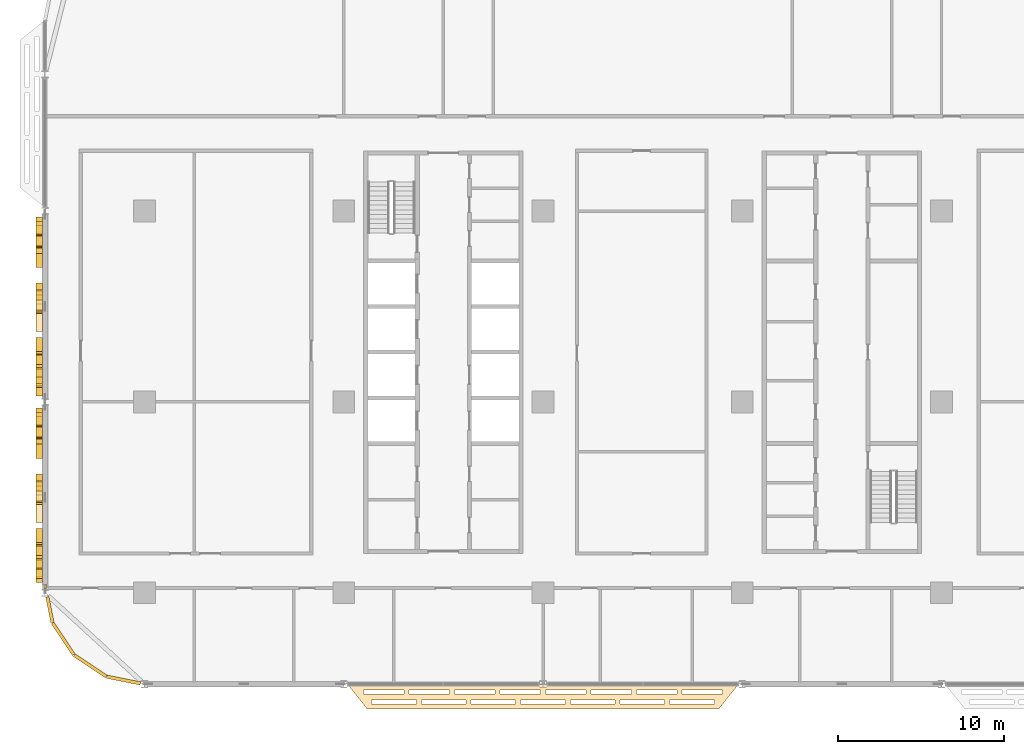
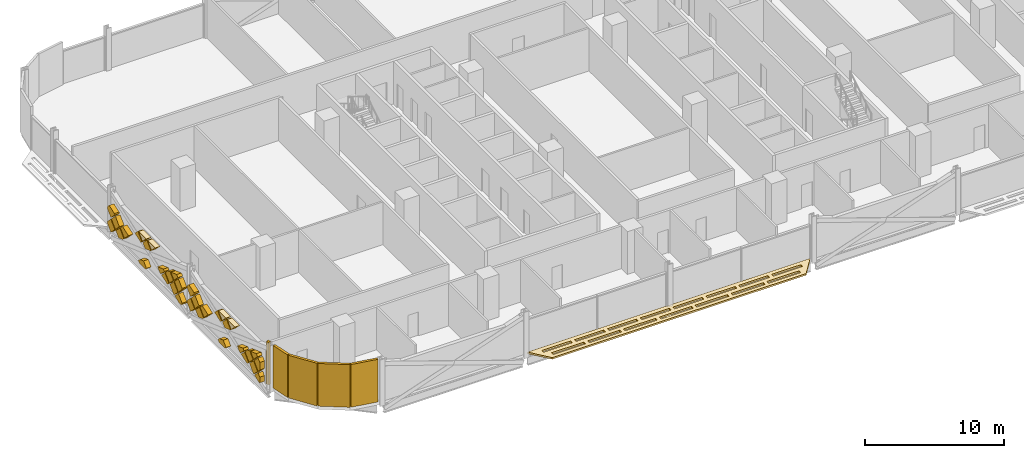
# One storey, part 25 of 29: 40 coverings.
"""IFC4 building model written with IfcOpenShell, lengths in metres."""

from ifc_helpers import new_model, si_unit, direction, frame, origin, origin_2d, place, context, subcontext, project, spatial, polyline, rectangle, outline, extrude, material, layer, layer_set, type_object, element, save


model = new_model("IFC4")

# Units and contexts
model_context = context("Model", 3, precision=1e-05, world=origin(), true_north=direction((0.0, 1.0)))
body_context = subcontext(model_context, "Body", "Model", "MODEL_VIEW")
ifc_project = project(units=[si_unit("LENGTHUNIT", "METRE"), si_unit("AREAUNIT", "SQUARE_METRE"), si_unit("VOLUMEUNIT", "CUBIC_METRE"), si_unit("PLANEANGLEUNIT", "RADIAN"), si_unit("MASSUNIT", "GRAM", prefix="KILO")], contexts=[model_context])

# Site, building, storey
site_placement = place(None, origin())
site = spatial("IfcSite", under=ifc_project, at=site_placement, CompositionType="ELEMENT")
building_placement = place(site_placement, origin())
building = spatial("IfcBuilding", under=site, at=building_placement, Name="Mahtab Terrace Research Tower", CompositionType="ELEMENT")
storey_placement = place(building_placement, frame((0.0, 0.0, 146.60009765625)))
storey = spatial("IfcBuildingStorey", under=building, at=storey_placement, Name="L34", CompositionType="ELEMENT", Elevation=146.60009765625)

# Coverings
ifc_material_1 = material(Name="Black aluminium cladding panel", Category="aluminium")
ifc_layer_1 = layer(ifc_material_1, 0.199951171875)
ifc_layer_set_1 = layer_set([ifc_layer_1], Name="Black metal corner cladding 200")
covering_type_1 = type_object("IfcCoveringType", Name="Black metal corner cladding 200", PredefinedType="CLADDING", material=ifc_layer_set_1)
covering_1_placement = place(storey_placement, frame((-47.97607421875, -11.11962890625, 0.0), z_axis=(0.0, 0.0, 1.0), x_axis=(0.195212442692, -0.980760981187, 0.0)))
element("IfcCovering", 1, at=covering_1_placement, inside=storey, type_object=covering_type_1, Name="Corner cladding L34 19", PredefinedType="CLADDING", context=body_context, shape_type="SweptSolid", body=[
    extrude(rectangle(XDim=0.22412109375, YDim=0.199951171875, at=origin_2d()), origin(), (0.0, 0.0, 1.0), 3.760009765625),
])
covering_2_placement = place(storey_placement, frame((-47.700439453125, -12.50439453125, 0.0), z_axis=(0.0, 0.0, 1.0), x_axis=(0.195212442692, -0.980760981187, 0.0)))
element("IfcCovering", 2, at=covering_2_placement, inside=storey, type_object=covering_type_1, Name="Corner cladding L34 20", PredefinedType="CLADDING", context=body_context, shape_type="SweptSolid", body=[
    extrude(rectangle(XDim=1.574462890625, YDim=0.199951171875, at=origin_2d()), origin(), (0.0, 0.0, 1.0), 3.760009765625),
])
for number, where, z_axis, x_axis, name in (
    (3, (-46.89306640625, -14.26953125, 0.0), (0.0, 0.0, 1.0), (0.555291490808, -0.831655794326, 0.0), "Corner cladding L34 21"),
    (4, (-45.26953125, -15.89306640625, 0.0), (0.0, 0.0, 1.0), (0.831655794326, -0.555291490808, 0.0), "Corner cladding L34 22"),
):
    element("IfcCovering", number, at=place(storey_placement, frame(where, z_axis=z_axis, x_axis=x_axis)), inside=storey, type_object=covering_type_1, Name=name, PredefinedType="CLADDING", context=body_context, shape_type="SweptSolid", body=[
        extrude(rectangle(XDim=2.30126953125, YDim=0.199951171875, at=origin_2d()), origin(), (0.0, 0.0, 1.0), 3.760009765625),
    ])
covering_3_placement = place(storey_placement, frame((-43.263916015625, -16.74853515625, 0.0), z_axis=(0.0, 0.0, 1.0), x_axis=(0.980760981187, -0.195212442692, 0.0)))
element("IfcCovering", 5, at=covering_3_placement, inside=storey, type_object=covering_type_1, Name="Corner cladding L34 23", PredefinedType="CLADDING", context=body_context, shape_type="SweptSolid", body=[
    extrude(rectangle(XDim=2.064697265625, YDim=0.199951171875, at=origin_2d()), origin(), (0.0, 0.0, 1.0), 3.760009765625),
])
ifc_material_2 = material(Name="Black anodised aluminium", Category="aluminium")
ifc_layer_2 = layer(ifc_material_2, 0.14990234375)
ifc_layer_set_2 = layer_set([ifc_layer_2], Name="Horizontal sunshade band")
covering_type_2 = type_object("IfcCoveringType", Name="Horizontal sunshade band", PredefinedType="CLADDING", material=ifc_layer_set_2)
covering_4_placement = place(storey_placement, frame((0.0, 0.0, -0.150146484375)))
element("IfcCovering", 6, at=covering_4_placement, inside=storey, type_object=covering_type_2, Name="Sunshade band L34 25", PredefinedType="CLADDING", context=body_context, shape_type="SweptSolid", body=[
    extrude(outline(polyline([(-29.781982421875, -17.0), (-6.218017578125, -17.0), (-7.41796875, -18.5), (-28.58203125, -18.5), (-29.781982421875, -17.0)]), holes=[polyline([(-28.802001953125, -17.35009765625), (-26.364013671875, -17.35009765625), (-26.364013671875, -17.60009765625), (-28.802001953125, -17.60009765625), (-28.802001953125, -17.35009765625)]), polyline([(-26.06396484375, -17.35009765625), (-23.6259765625, -17.35009765625), (-23.6259765625, -17.60009765625), (-26.06396484375, -17.60009765625), (-26.06396484375, -17.35009765625)]), polyline([(-23.325927734375, -17.35009765625), (-20.887939453125, -17.35009765625), (-20.887939453125, -17.60009765625), (-23.325927734375, -17.60009765625), (-23.325927734375, -17.35009765625)]), polyline([(-20.587890625, -17.35009765625), (-18.14990234375, -17.35009765625), (-18.14990234375, -17.60009765625), (-20.587890625, -17.60009765625), (-20.587890625, -17.35009765625)]), polyline([(-17.85009765625, -17.35009765625), (-15.412109375, -17.35009765625), (-15.412109375, -17.60009765625), (-17.85009765625, -17.60009765625), (-17.85009765625, -17.35009765625)]), polyline([(-15.112060546875, -17.35009765625), (-12.674072265625, -17.35009765625), (-12.674072265625, -17.60009765625), (-15.112060546875, -17.60009765625), (-15.112060546875, -17.35009765625)]), polyline([(-12.3740234375, -17.35009765625), (-9.93603515625, -17.35009765625), (-9.93603515625, -17.60009765625), (-12.3740234375, -17.60009765625), (-12.3740234375, -17.35009765625)]), polyline([(-9.635986328125, -17.35009765625), (-7.197998046875, -17.35009765625), (-7.197998046875, -17.60009765625), (-9.635986328125, -17.60009765625), (-9.635986328125, -17.35009765625)]), polyline([(-28.322021484375, -17.949951171875), (-25.6298828125, -17.949951171875), (-25.6298828125, -18.199951171875), (-28.322021484375, -18.199951171875), (-28.322021484375, -17.949951171875)]), polyline([(-25.330078125, -17.949951171875), (-22.637939453125, -17.949951171875), (-22.637939453125, -18.199951171875), (-25.330078125, -18.199951171875), (-25.330078125, -17.949951171875)]), polyline([(-22.337890625, -17.949951171875), (-19.64599609375, -17.949951171875), (-19.64599609375, -18.199951171875), (-22.337890625, -18.199951171875), (-22.337890625, -17.949951171875)]), polyline([(-19.345947265625, -17.949951171875), (-16.654052734375, -17.949951171875), (-16.654052734375, -18.199951171875), (-19.345947265625, -18.199951171875), (-19.345947265625, -17.949951171875)]), polyline([(-16.35400390625, -17.949951171875), (-13.662109375, -17.949951171875), (-13.662109375, -18.199951171875), (-16.35400390625, -18.199951171875), (-16.35400390625, -17.949951171875)]), polyline([(-13.362060546875, -17.949951171875), (-10.669921875, -17.949951171875), (-10.669921875, -18.199951171875), (-13.362060546875, -18.199951171875), (-13.362060546875, -17.949951171875)]), polyline([(-10.3701171875, -17.949951171875), (-7.677978515625, -17.949951171875), (-7.677978515625, -18.199951171875), (-10.3701171875, -18.199951171875), (-10.3701171875, -17.949951171875)])]), origin(), (0.0, 0.0, 1.0), 0.150146484375),
])
ifc_material_3 = material(Name="Bronze anodised aluminium", Category="aluminium")
ifc_layer_3 = layer(ifc_material_3, 0.39990234375)
ifc_layer_set_3 = layer_set([ifc_layer_3], Name="Mashrabiya relief panel 400")
covering_type_3 = type_object("IfcCoveringType", Name="Mashrabiya relief panel 400", PredefinedType="CLADDING", material=ifc_layer_set_3)
covering_5_placement = place(storey_placement, frame((-48.14990234375, 10.632080078125, 1.52978515625), z_axis=(1.0, 0.0, 0.0), x_axis=(0.0, -0.707255598772, -0.706957932274)))
element("IfcCovering", 7, at=covering_5_placement, inside=storey, type_object=covering_type_3, Name="Mashrabiya lattice cell L34 W17.1", PredefinedType="CLADDING", context=body_context, shape_type="SweptSolid", body=[
    extrude(outline(polyline([(0.0, 0.0), (0.8201817362875763, 0.0), (0.8200090664636573, 0.8203543334390104), (0.0916684182924955, 0.820028397344618), (-0.0001532662704735177, 0.7281680510197277), (0.0, 0.0)])), origin(), (0.0, 0.0, -1.0), 0.39990234375),
])
covering_6_placement = place(storey_placement, frame((-48.14990234375, 10.052001953125, 2.25), z_axis=(1.0, 0.0, 0.0), x_axis=(0.0, 0.707106781187, -0.707106781187)))
element("IfcCovering", 8, at=covering_6_placement, inside=storey, type_object=covering_type_3, Name="Mashrabiya lattice cell L34 W17.2", PredefinedType="CLADDING", context=body_context, shape_type="SweptSolid", body=[
    extrude(outline(polyline([(0.0, 0.0), (0.8203543516109556, 0.0), (0.8203543516109556, 0.7281680671496235), (0.7283407006411241, 0.820181718119455), (0.3395700777817233, 0.820181718119455), (0.0, 0.10461589584937692), (0.0, 0.0)])), origin(), (0.0, 0.0, -1.0), 0.39990234375),
])
covering_7_placement = place(storey_placement, frame((-48.14990234375, 9.98193359375, 2.179931640625), z_axis=(1.0, 0.0, 0.0), x_axis=(0.0, -0.706957932274, -0.707255598772)))
element("IfcCovering", 9, at=covering_7_placement, inside=storey, type_object=covering_type_3, Name="Mashrabiya lattice cell L34 W17.3", PredefinedType="CLADDING", context=body_context, shape_type="SweptSolid", body=[
    extrude(outline(polyline([(0.0, 0.0), (0.8201817362875763, 0.0), (0.8203543334390104, 0.8200090664636573), (0.00017266982391900276, 0.8203543334390104), (0.0, 0.0)])), origin(), (0.0, 0.0, -1.0), 0.39990234375),
])
covering_8_placement = place(storey_placement, frame((-48.14990234375, 9.912109375, 0.949951171875), z_axis=(1.0, 0.0, 0.0), x_axis=(0.0, -0.707255598772, 0.706957932274)))
element("IfcCovering", 10, at=covering_8_placement, inside=storey, type_object=covering_type_3, Name="Mashrabiya lattice cell L34 W17.4", PredefinedType="CLADDING", context=body_context, shape_type="SweptSolid", body=[
    extrude(outline(polyline([(0.0, 0.0), (0.8201817362875763, 0.0), (0.8205270032629295, 0.8201816636150915), (0.5546714322410279, 0.8202376214283986), (0.00011729339049038057, 0.5572608982199339), (0.0, 0.0)])), origin(), (0.0, 0.0, -1.0), 0.39990234375),
])
covering_9_placement = place(storey_placement, frame((-48.14990234375, 8.10205078125, 1.599853515625), z_axis=(1.0, 0.0, 0.0), x_axis=(0.0, 0.707106781187, -0.707106781187)))
element("IfcCovering", 11, at=covering_9_placement, inside=storey, type_object=covering_type_3, Name="Mashrabiya lattice cell L34 W17.5", PredefinedType="CLADDING", context=body_context, shape_type="SweptSolid", body=[
    extrude(outline(polyline([(0.0, 0.0), (0.8200090846279543, 0.0), (0.820181718119455, 0.820181718119455), (0.3873895549273957, 0.8203543516109556), (0.0, 0.0)])), origin(), (0.0, 0.0, -1.0), 0.39990234375),
])
covering_10_placement = place(storey_placement, frame((-48.14990234375, 6.73193359375, 2.829833984375), z_axis=(1.0, 0.0, 0.0), x_axis=(0.0, -0.707106781187, -0.707106781187)))
element("IfcCovering", 12, at=covering_10_placement, inside=storey, type_object=covering_type_3, Name="Mashrabiya lattice cell L34 W17.6", PredefinedType="CLADDING", context=body_context, shape_type="SweptSolid", body=[
    extrude(outline(polyline([(0.0, 0.0), (0.8200090846279543, 0.0), (0.820181718119455, 0.2163097648502793), (0.0, 0.6052530212011806), (0.0, 0.0)])), origin(), (0.0, 0.0, -1.0), 0.39990234375),
])
covering_11_placement = place(storey_placement, frame((-48.14990234375, 6.662109375, 0.2998046875), z_axis=(1.0, 0.0, 0.0), x_axis=(0.0, -0.707106781187, 0.707106781187)))
element("IfcCovering", 13, at=covering_11_placement, inside=storey, type_object=covering_type_3, Name="Mashrabiya lattice cell L34 W17.7", PredefinedType="CLADDING", context=body_context, shape_type="SweptSolid", body=[
    extrude(outline(polyline([(0.0, 0.0), (0.3041802120240959, 0.0), (0.8203543516109555, 0.2447942909478819), (0.8203543516109556, 0.8203543516109556), (0.5871265045936153, 0.820181718119455), (0.00017263349150062335, 0.23322784701734028), (0.0, 0.0)])), origin(), (0.0, 0.0, -1.0), 0.39990234375),
])
covering_12_placement = place(storey_placement, frame((-48.14990234375, 6.08203125, 2.31982421875), z_axis=(1.0, 0.0, 0.0), x_axis=(0.0, 0.706949243756, 0.707264283526)))
element("IfcCovering", 14, at=covering_12_placement, inside=storey, type_object=covering_type_3, Name="Mashrabiya lattice cell L34 W17.8", PredefinedType="CLADDING", context=body_context, shape_type="SweptSolid", body=[
    extrude(outline(polyline([(0.0, 0.0), (0.7749517625747938, 0.0), (0.00017267194422032617, 0.7751243576050078), (0.0, 0.0)])), origin(), (0.0, 0.0, -1.0), 0.39990234375),
])
covering_13_placement = place(storey_placement, frame((-48.14990234375, 6.011962890625, 2.25), z_axis=(1.0, 0.0, 0.0), x_axis=(0.0, -0.707255598772, 0.706957932274)))
element("IfcCovering", 15, at=covering_13_placement, inside=storey, type_object=covering_type_3, Name="Mashrabiya lattice cell L34 W17.9", PredefinedType="CLADDING", context=body_context, shape_type="SweptSolid", body=[
    extrude(outline(polyline([(0.0, 0.0), (0.8201817362875763, 0.0), (0.8203543334390104, 0.8200090664636573), (0.7538904770197775, 0.8201956894046607), (-7.528869426767781e-05, 0.46248514982174516), (0.0, 0.0)])), origin(), (0.0, 0.0, -1.0), 0.39990234375),
])
covering_14_placement = place(storey_placement, frame((-48.14990234375, 4.781982421875, 2.31982421875), z_axis=(1.0, 0.0, 0.0), x_axis=(0.0, 0.707106781187, 0.707106781187)))
element("IfcCovering", 16, at=covering_14_placement, inside=storey, type_object=covering_type_3, Name="Mashrabiya lattice cell L34 W17.10", PredefinedType="CLADDING", context=body_context, shape_type="SweptSolid", body=[
    extrude(outline(polyline([(0.0, 0.0), (0.7751243768377927, 0.0), (0.0, 0.7751243768377927), (0.0, 0.0)])), origin(), (0.0, 0.0, -1.0), 0.39990234375),
])
covering_15_placement = place(storey_placement, frame((-48.14990234375, 3.888916015625, 1.427001953125), z_axis=(1.0, 0.0, 0.0), x_axis=(0.0, -0.941887862888, 0.335927453097)))
element("IfcCovering", 17, at=covering_15_placement, inside=storey, type_object=covering_type_3, Name="Mashrabiya lattice cell L34 W17.11", PredefinedType="CLADDING", context=body_context, shape_type="SweptSolid", body=[
    extrude(outline(polyline([(0.0, 0.0), (0.9077306359257816, 5.551115123125783e-17), (0.9875359811000457, 0.16869193322630036), (0.3130641273011875, 0.4885372471831153), (0.1798124831182081, 0.3795813750246483), (0.0, 0.0)])), origin(), (0.0, 0.0, -1.0), 0.39990234375),
])
covering_16_placement = place(storey_placement, frame((-48.14990234375, 2.83203125, 1.52978515625), z_axis=(1.0, 0.0, 0.0), x_axis=(0.0, -0.707255598772, -0.706957932274)))
element("IfcCovering", 18, at=covering_16_placement, inside=storey, type_object=covering_type_3, Name="Mashrabiya lattice cell L34 W17.12", PredefinedType="CLADDING", context=body_context, shape_type="SweptSolid", body=[
    extrude(outline(polyline([(0.0, 0.0), (0.8201817362875763, 0.0), (0.8201165490686978, 0.3097044768917476), (-0.00014701643677950127, 0.6984750911393595), (0.0, 0.0)])), origin(), (0.0, 0.0, -1.0), 0.39990234375),
])
covering_17_placement = place(storey_placement, frame((-48.14990234375, 1.60205078125, 1.599853515625), z_axis=(1.0, 0.0, 0.0), x_axis=(0.0, 0.707106781187, -0.707106781187)))
element("IfcCovering", 19, at=covering_17_placement, inside=storey, type_object=covering_type_3, Name="Mashrabiya lattice cell L34 W17.13", PredefinedType="CLADDING", context=body_context, shape_type="SweptSolid", body=[
    extrude(outline(polyline([(0.0, 0.0), (0.8200090846279543, 0.0), (0.820181718119455, 0.820181718119455), (0.3167824569036413, 0.8201817181194551), (-0.0001726334915006511, 0.6703358474969151), (0.0, 0.0)])), origin(), (0.0, 0.0, -1.0), 0.39990234375),
])
covering_18_placement = place(storey_placement, frame((-48.14990234375, 2.112060546875, 0.949951171875), z_axis=(1.0, 0.0, 0.0), x_axis=(0.0, -0.707255598772, 0.706957932274)))
element("IfcCovering", 20, at=covering_18_placement, inside=storey, type_object=covering_type_3, Name="Mashrabiya lattice cell L34 W17.14", PredefinedType="CLADDING", context=body_context, shape_type="SweptSolid", body=[
    extrude(outline(polyline([(0.0, 0.0), (0.8201817362875763, 0.0), (0.8205270032629295, 0.8201816636150915), (0.027103493901462272, 0.820348664985195), (0.0001607515364094314, 0.7637305494810989), (0.0, 0.0)])), origin(), (0.0, 0.0, -1.0), 0.39990234375),
])
covering_19_placement = place(storey_placement, frame((-48.14990234375, 0.951904296875, 2.25), z_axis=(1.0, 0.0, 0.0), x_axis=(0.0, 0.707106781187, -0.707106781187)))
element("IfcCovering", 21, at=covering_19_placement, inside=storey, type_object=covering_type_3, Name="Mashrabiya lattice cell L34 W17.15", PredefinedType="CLADDING", context=body_context, shape_type="SweptSolid", body=[
    extrude(outline(polyline([(0.0, 0.0), (0.8203543516109556, 0.0), (0.8203543516109555, 0.6221711033682416), (0.00017263349150062335, 0.23322784701734028), (0.0, 0.0)])), origin(), (0.0, 0.0, -1.0), 0.39990234375),
])
covering_20_placement = place(storey_placement, frame((-48.14990234375, 0.467041015625, 0.135009765625), z_axis=(1.0, 0.0, 0.0), x_axis=(0.0, 1.0, 0.0)))
element("IfcCovering", 22, at=covering_20_placement, inside=storey, type_object=covering_type_3, Name="Mashrabiya lattice cell L34 W17.16", PredefinedType="CLADDING", context=body_context, shape_type="SweptSolid", body=[
    extrude(outline(polyline([(0.0, 0.0), (0.333984375, 0.0), (0.94287109375, 0.216796875), (0.4150390625, 0.744873046875), (-0.114013671875, 0.2158203125), (-0.114013671875, 0.114013671875), (0.0, 0.0)])), origin(), (0.0, 0.0, -1.0), 0.39990234375),
])
covering_21_placement = place(storey_placement, frame((-48.14990234375, 0.882080078125, 1.02001953125), z_axis=(1.0, 0.0, 0.0), x_axis=(0.0, 0.707106781187, 0.707106781187)))
element("IfcCovering", 23, at=covering_21_placement, inside=storey, type_object=covering_type_3, Name="Mashrabiya lattice cell L34 W17.17", PredefinedType="CLADDING", context=body_context, shape_type="SweptSolid", body=[
    extrude(outline(polyline([(0.0, 0.0), (0.8200090846279543, 0.0), (0.820181718119455, 0.820181718119455), (0.07198816595575935, 0.8201817181194551), (-0.0001726334915006511, 0.748020918672195), (0.0, 0.0)])), origin(), (0.0, 0.0, -1.0), 0.39990234375),
])
covering_22_placement = place(storey_placement, frame((-48.14990234375, -0.867919921875, 1.52978515625), z_axis=(1.0, 0.0, 0.0), x_axis=(0.0, -0.707255598772, -0.706957932274)))
element("IfcCovering", 24, at=covering_22_placement, inside=storey, type_object=covering_type_3, Name="Mashrabiya lattice cell L34 W18.1", PredefinedType="CLADDING", context=body_context, shape_type="SweptSolid", body=[
    extrude(outline(polyline([(0.0, 0.0), (0.8201817362875763, 0.0), (0.8200090664636573, 0.8203543334390104), (0.0916684182924955, 0.820028397344618), (-0.0001532662704735177, 0.7281680510197277), (0.0, 0.0)])), origin(), (0.0, 0.0, -1.0), 0.39990234375),
])
covering_23_placement = place(storey_placement, frame((-48.14990234375, -1.447998046875, 2.25), z_axis=(1.0, 0.0, 0.0), x_axis=(0.0, 0.707106781187, -0.707106781187)))
element("IfcCovering", 25, at=covering_23_placement, inside=storey, type_object=covering_type_3, Name="Mashrabiya lattice cell L34 W18.2", PredefinedType="CLADDING", context=body_context, shape_type="SweptSolid", body=[
    extrude(outline(polyline([(0.0, 0.0), (0.8203543516109556, 0.0), (0.8203543516109556, 0.7281680671496235), (0.7283407006411241, 0.820181718119455), (0.3395700777817233, 0.820181718119455), (0.0, 0.10461589584937692), (0.0, 0.0)])), origin(), (0.0, 0.0, -1.0), 0.39990234375),
])
covering_24_placement = place(storey_placement, frame((-48.14990234375, -1.51806640625, 2.179931640625), z_axis=(1.0, 0.0, 0.0), x_axis=(0.0, -0.706957932274, -0.707255598772)))
element("IfcCovering", 26, at=covering_24_placement, inside=storey, type_object=covering_type_3, Name="Mashrabiya lattice cell L34 W18.3", PredefinedType="CLADDING", context=body_context, shape_type="SweptSolid", body=[
    extrude(outline(polyline([(0.0, 0.0), (0.8201817362875763, 0.0), (0.8203543334390104, 0.8200090664636573), (0.00017266982391900276, 0.8203543334390104), (0.0, 0.0)])), origin(), (0.0, 0.0, -1.0), 0.39990234375),
])
covering_25_placement = place(storey_placement, frame((-48.14990234375, -1.587890625, 0.949951171875), z_axis=(1.0, 0.0, 0.0), x_axis=(0.0, -0.707255598772, 0.706957932274)))
element("IfcCovering", 27, at=covering_25_placement, inside=storey, type_object=covering_type_3, Name="Mashrabiya lattice cell L34 W18.4", PredefinedType="CLADDING", context=body_context, shape_type="SweptSolid", body=[
    extrude(outline(polyline([(0.0, 0.0), (0.8201817362875763, 0.0), (0.8205270032629295, 0.8201816636150915), (0.5546714322410279, 0.8202376214283986), (0.00011729339049038057, 0.5572608982199339), (0.0, 0.0)])), origin(), (0.0, 0.0, -1.0), 0.39990234375),
])
covering_26_placement = place(storey_placement, frame((-48.14990234375, -3.39794921875, 1.599853515625), z_axis=(1.0, 0.0, 0.0), x_axis=(0.0, 0.707106781187, -0.707106781187)))
element("IfcCovering", 28, at=covering_26_placement, inside=storey, type_object=covering_type_3, Name="Mashrabiya lattice cell L34 W18.5", PredefinedType="CLADDING", context=body_context, shape_type="SweptSolid", body=[
    extrude(outline(polyline([(0.0, 0.0), (0.8200090846279543, 0.0), (0.820181718119455, 0.820181718119455), (0.3873895549273957, 0.8203543516109556), (0.0, 0.0)])), origin(), (0.0, 0.0, -1.0), 0.39990234375),
])
covering_27_placement = place(storey_placement, frame((-48.14990234375, -4.76806640625, 2.829833984375), z_axis=(1.0, 0.0, 0.0), x_axis=(0.0, -0.707106781187, -0.707106781187)))
element("IfcCovering", 29, at=covering_27_placement, inside=storey, type_object=covering_type_3, Name="Mashrabiya lattice cell L34 W18.6", PredefinedType="CLADDING", context=body_context, shape_type="SweptSolid", body=[
    extrude(outline(polyline([(0.0, 0.0), (0.8200090846279543, 0.0), (0.820181718119455, 0.2163097648502793), (0.0, 0.6052530212011806), (0.0, 0.0)])), origin(), (0.0, 0.0, -1.0), 0.39990234375),
])
covering_28_placement = place(storey_placement, frame((-48.14990234375, -4.837890625, 0.2998046875), z_axis=(1.0, 0.0, 0.0), x_axis=(0.0, -0.707106781187, 0.707106781187)))
element("IfcCovering", 30, at=covering_28_placement, inside=storey, type_object=covering_type_3, Name="Mashrabiya lattice cell L34 W18.7", PredefinedType="CLADDING", context=body_context, shape_type="SweptSolid", body=[
    extrude(outline(polyline([(0.0, 0.0), (0.3041802120240959, 0.0), (0.8203543516109555, 0.2447942909478819), (0.8203543516109556, 0.8203543516109556), (0.5871265045936153, 0.820181718119455), (0.00017263349150062335, 0.23322784701734028), (0.0, 0.0)])), origin(), (0.0, 0.0, -1.0), 0.39990234375),
])
covering_29_placement = place(storey_placement, frame((-48.14990234375, -5.41796875, 2.31982421875), z_axis=(1.0, 0.0, 0.0), x_axis=(0.0, 0.706949243756, 0.707264283526)))
element("IfcCovering", 31, at=covering_29_placement, inside=storey, type_object=covering_type_3, Name="Mashrabiya lattice cell L34 W18.8", PredefinedType="CLADDING", context=body_context, shape_type="SweptSolid", body=[
    extrude(outline(polyline([(0.0, 0.0), (0.7749517625747938, 0.0), (0.00017267194422032617, 0.7751243576050078), (0.0, 0.0)])), origin(), (0.0, 0.0, -1.0), 0.39990234375),
])
covering_30_placement = place(storey_placement, frame((-48.14990234375, -5.488037109375, 2.25), z_axis=(1.0, 0.0, 0.0), x_axis=(0.0, -0.707255598772, 0.706957932274)))
element("IfcCovering", 32, at=covering_30_placement, inside=storey, type_object=covering_type_3, Name="Mashrabiya lattice cell L34 W18.9", PredefinedType="CLADDING", context=body_context, shape_type="SweptSolid", body=[
    extrude(outline(polyline([(0.0, 0.0), (0.8201817362875763, 0.0), (0.8203543334390104, 0.8200090664636573), (0.7538904770197775, 0.8201956894046607), (-7.528869426767781e-05, 0.46248514982174516), (0.0, 0.0)])), origin(), (0.0, 0.0, -1.0), 0.39990234375),
])
covering_31_placement = place(storey_placement, frame((-48.14990234375, -6.718017578125, 2.31982421875), z_axis=(1.0, 0.0, 0.0), x_axis=(0.0, 0.707106781187, 0.707106781187)))
element("IfcCovering", 33, at=covering_31_placement, inside=storey, type_object=covering_type_3, Name="Mashrabiya lattice cell L34 W18.10", PredefinedType="CLADDING", context=body_context, shape_type="SweptSolid", body=[
    extrude(outline(polyline([(0.0, 0.0), (0.7751243768377927, 0.0), (0.0, 0.7751243768377927), (0.0, 0.0)])), origin(), (0.0, 0.0, -1.0), 0.39990234375),
])
covering_32_placement = place(storey_placement, frame((-48.14990234375, -7.611083984375, 1.427001953125), z_axis=(1.0, 0.0, 0.0), x_axis=(0.0, -0.941887862888, 0.335927453097)))
element("IfcCovering", 34, at=covering_32_placement, inside=storey, type_object=covering_type_3, Name="Mashrabiya lattice cell L34 W18.11", PredefinedType="CLADDING", context=body_context, shape_type="SweptSolid", body=[
    extrude(outline(polyline([(0.0, 0.0), (0.9077306359257816, 5.551115123125783e-17), (0.9875359811000457, 0.16869193322630036), (0.3130641273011875, 0.4885372471831153), (0.1798124831182081, 0.3795813750246483), (0.0, 0.0)])), origin(), (0.0, 0.0, -1.0), 0.39990234375),
])
covering_33_placement = place(storey_placement, frame((-48.14990234375, -8.66796875, 1.52978515625), z_axis=(1.0, 0.0, 0.0), x_axis=(0.0, -0.707255598772, -0.706957932274)))
element("IfcCovering", 35, at=covering_33_placement, inside=storey, type_object=covering_type_3, Name="Mashrabiya lattice cell L34 W18.12", PredefinedType="CLADDING", context=body_context, shape_type="SweptSolid", body=[
    extrude(outline(polyline([(0.0, 0.0), (0.8201817362875763, 0.0), (0.8201165490686978, 0.3097044768917476), (-0.00014701643677950127, 0.6984750911393595), (0.0, 0.0)])), origin(), (0.0, 0.0, -1.0), 0.39990234375),
])
covering_34_placement = place(storey_placement, frame((-48.14990234375, -9.89794921875, 1.599853515625), z_axis=(1.0, 0.0, 0.0), x_axis=(0.0, 0.707106781187, -0.707106781187)))
element("IfcCovering", 36, at=covering_34_placement, inside=storey, type_object=covering_type_3, Name="Mashrabiya lattice cell L34 W18.13", PredefinedType="CLADDING", context=body_context, shape_type="SweptSolid", body=[
    extrude(outline(polyline([(0.0, 0.0), (0.8200090846279543, 0.0), (0.820181718119455, 0.820181718119455), (0.3167824569036413, 0.8201817181194551), (-0.0001726334915006511, 0.6703358474969151), (0.0, 0.0)])), origin(), (0.0, 0.0, -1.0), 0.39990234375),
])
covering_35_placement = place(storey_placement, frame((-48.14990234375, -9.387939453125, 0.949951171875), z_axis=(1.0, 0.0, 0.0), x_axis=(0.0, -0.707255598772, 0.706957932274)))
element("IfcCovering", 37, at=covering_35_placement, inside=storey, type_object=covering_type_3, Name="Mashrabiya lattice cell L34 W18.14", PredefinedType="CLADDING", context=body_context, shape_type="SweptSolid", body=[
    extrude(outline(polyline([(0.0, 0.0), (0.8201817362875763, 0.0), (0.8205270032629295, 0.8201816636150915), (0.027103493901462272, 0.820348664985195), (0.0001607515364094314, 0.7637305494810989), (0.0, 0.0)])), origin(), (0.0, 0.0, -1.0), 0.39990234375),
])
covering_36_placement = place(storey_placement, frame((-48.14990234375, -10.548095703125, 2.25), z_axis=(1.0, 0.0, 0.0), x_axis=(0.0, 0.707106781187, -0.707106781187)))
element("IfcCovering", 38, at=covering_36_placement, inside=storey, type_object=covering_type_3, Name="Mashrabiya lattice cell L34 W18.15", PredefinedType="CLADDING", context=body_context, shape_type="SweptSolid", body=[
    extrude(outline(polyline([(0.0, 0.0), (0.8203543516109556, 0.0), (0.8203543516109555, 0.6221711033682416), (0.00017263349150062335, 0.23322784701734028), (0.0, 0.0)])), origin(), (0.0, 0.0, -1.0), 0.39990234375),
])
covering_37_placement = place(storey_placement, frame((-48.14990234375, -10.617919921875, 0.8798828125), z_axis=(1.0, 0.0, 0.0), x_axis=(0.0, -0.707106781187, -0.707106781187)))
element("IfcCovering", 39, at=covering_37_placement, inside=storey, type_object=covering_type_3, Name="Mashrabiya lattice cell L34 W18.16", PredefinedType="CLADDING", context=body_context, shape_type="SweptSolid", body=[
    extrude(outline(polyline([(0.0, 0.0), (0.3494101867972589, 0.0), (0.7014098759670271, 0.35199968916976815), (0.5840191017466041, 0.4693904633901911), (0.0001726334915006511, 0.74663985074019), (0.0, 0.0)])), origin(), (0.0, 0.0, -1.0), 0.39990234375),
])
covering_38_placement = place(storey_placement, frame((-48.14990234375, -10.617919921875, 1.02001953125), z_axis=(1.0, 0.0, 0.0), x_axis=(0.0, 0.707106781187, 0.707106781187)))
element("IfcCovering", 40, at=covering_38_placement, inside=storey, type_object=covering_type_3, Name="Mashrabiya lattice cell L34 W18.17", PredefinedType="CLADDING", context=body_context, shape_type="SweptSolid", body=[
    extrude(outline(polyline([(0.0, 0.0), (0.8200090846279543, 0.0), (0.820181718119455, 0.820181718119455), (0.4707715313221961, 0.8201817181194551), (-0.00017263349150062335, 0.34923755330575823), (0.0, 0.0)])), origin(), (0.0, 0.0, -1.0), 0.39990234375),
])

save(model, "model.ifc")
